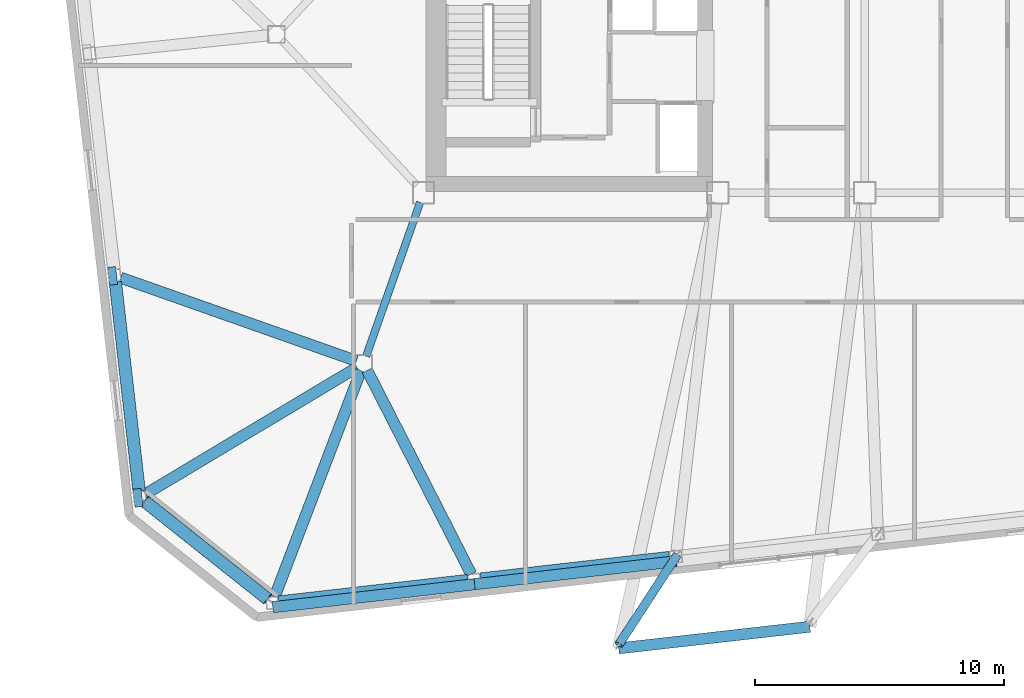
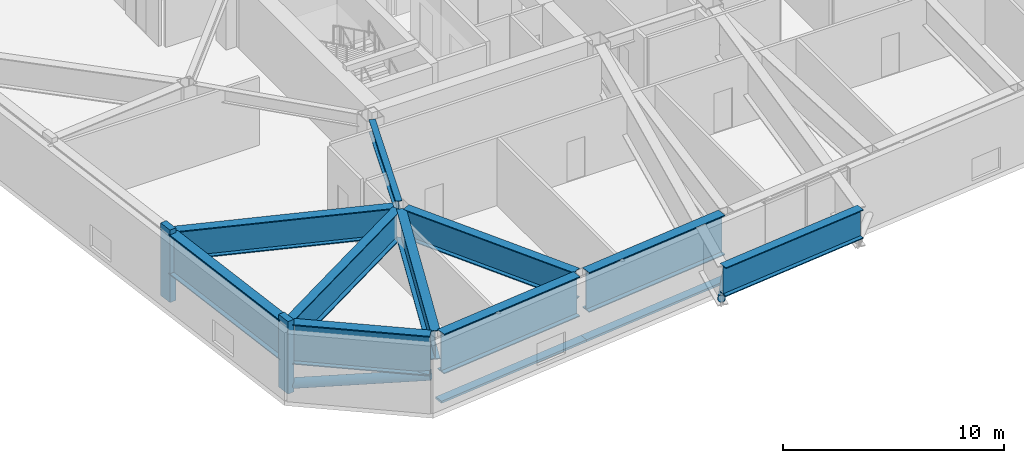
# One storey, part 3 of 20: 10 beams, 6 members.
"""IFC4 building model written with IfcOpenShell, lengths in metres."""

from ifc_helpers import new_model, si_unit, direction, frame, origin, origin_2d, place, context, subcontext, project, spatial, rectangle, hollow_circle, i_section, extrude, material, material_profile, profile_set, type_object, element, save


model = new_model("IFC4")

# Units and contexts
model_context = context("Model", 3, precision=1e-05, world=origin(), true_north=direction((0.0, 1.0)))
body_context = subcontext(model_context, "Body", "Model", "MODEL_VIEW")
ifc_project = project(units=[si_unit("LENGTHUNIT", "METRE"), si_unit("AREAUNIT", "SQUARE_METRE"), si_unit("VOLUMEUNIT", "CUBIC_METRE"), si_unit("PLANEANGLEUNIT", "RADIAN"), si_unit("MASSUNIT", "GRAM", prefix="KILO")], contexts=[model_context])

# Site, building, storey
site_placement = place(None, origin())
site = spatial("IfcSite", under=ifc_project, at=site_placement, CompositionType="ELEMENT")
building_placement = place(site_placement, origin())
building = spatial("IfcBuilding", under=site, at=building_placement, Name="Tavrogorsk Clinical Tower", CompositionType="ELEMENT")
storey_placement = place(building_placement, frame((0.0, 0.0, 214.199951171875)))
storey = spatial("IfcBuildingStorey", under=building, at=storey_placement, Name="L49", CompositionType="ELEMENT", Elevation=214.199951171875)

# Members
ifc_material_1 = material(Name="Anodised aluminium alloy AW-6063", Category="aluminium")
ifc_material_profile_1 = material_profile(ifc_material_1, rectangle(XDim=0.449951171875, YDim=0.1201171875, at=origin_2d()), Name="ALU-SUNSHADE-450x120")
ifc_profile_set_1 = profile_set([ifc_material_profile_1], Name="Anodised aluminium alloy AW-6063")
member_type_1 = type_object("IfcMemberType", Name="ChicagoSunshade_450x120", PredefinedType="USERDEFINED", material=ifc_profile_set_1)
for number, where, z_axis, x_axis, name in (
    (1, (-28.144287109375, -22.981201171875, 0.179931640625), (0.9935729766, 0.113193375116, 0.0), (-0.113193375116, 0.9935729766, 0.0), "L49 South Aluminium Sunshade S1"),
    (2, (-20.048095703125, -22.058837890625, 0.179931640625), (0.9935729766, 0.113193375116, 0.0), (-0.113193375116, 0.9935729766, 0.0), "L49 South Aluminium Sunshade S2"),
):
    element("IfcMember", number, at=place(storey_placement, frame(where, z_axis=z_axis, x_axis=x_axis)), inside=storey, type_object=member_type_1, Name=name, ObjectType="SUNSHADE", PredefinedType="USERDEFINED", context=body_context, shape_type="SweptSolid", body=[
        extrude(rectangle(XDim=0.449951171875, YDim=0.1201171875, at=origin_2d()), origin(), (0.0, 0.0, 1.0), 8.148681640625),
    ])
ifc_material_2 = material(Name="Structural steel S390", Category="steel")
ifc_material_profile_2 = material_profile(ifc_material_2, hollow_circle(Radius=0.177734375, WallThickness=0.01416015625, at=origin_2d()), Name="CHS-355.6x14.2")
ifc_profile_set_2 = profile_set([ifc_material_profile_2], Name="Structural steel S390")
member_type_2 = type_object("IfcMemberType", Name="DayroomStrut_CHS355", PredefinedType="STRUT", material=ifc_profile_set_2)
member_1_placement = place(storey_placement, frame((-11.930908203125, -20.893798828125, 0.42529296875), z_axis=(-0.518847047388, -0.797081966073, 0.308962911655), x_axis=(0.838086093243, -0.545537991631, 0.0)))
element("IfcMember", 3, at=member_1_placement, inside=storey, type_object=member_type_2, Name="L50 Day-Room Raking Strut DRB-07-L", PredefinedType="STRUT", context=body_context, shape_type="SweptSolid", body=[
    extrude(hollow_circle(Radius=0.177734375, WallThickness=0.01416015625, at=origin_2d()), origin(), (0.0, 0.0, 1.0), 4.4970703125),
])
ifc_material_3 = material(Name="Structural steel S440", Category="steel")
ifc_material_profile_3 = material_profile(ifc_material_3, hollow_circle(Radius=0.25390625, WallThickness=0.02001953125, at=origin_2d()), Name="CHS-508x20")
ifc_profile_set_3 = profile_set([ifc_material_profile_3], Name="Structural steel S440")
member_type_3 = type_object("IfcMemberType", Name="ExoBrace_CHS508", PredefinedType="BRACE", material=ifc_profile_set_3)
member_2_placement = place(storey_placement, frame((-33.2783203125, -18.73486328125, 0.344482421875), z_axis=(0.770848240557, -0.613163423379, 0.172695125176), x_axis=(0.622516531029, 0.782606649981, 0.0)))
element("IfcMember", 4, at=member_2_placement, inside=storey, type_object=member_type_3, Name="L49 Corner Exoskeleton Brace W5-S1", PredefinedType="BRACE", context=body_context, shape_type="SweptSolid", body=[
    extrude(hollow_circle(Radius=0.25390625, WallThickness=0.02001953125, at=origin_2d()), origin(), (0.0, 0.0, 1.0), 6.375732421875),
])
ifc_material_4 = material(Name="Precast concrete B45 with limestone cladding", Category="masonry")
ifc_material_profile_4 = material_profile(ifc_material_4, rectangle(XDim=0.320068359375, YDim=0.719970703125, at=origin_2d()), Name="LIMESTONE-FIN-320x720")
ifc_profile_set_4 = profile_set([ifc_material_profile_4], Name="Precast concrete B45 with limestone cladding")
member_type_4 = type_object("IfcMemberType", Name="LimestonePleatFin_320x720", PredefinedType="USERDEFINED", material=ifc_profile_set_4)
for number, where, z_axis, x_axis, name in (
    (5, (-34.571044921875, -9.683349609375, 0.0), (0.0, 0.0, 1.0), (0.993571855677, 0.113203213768, 0.0), "L49 W Pleated Stone Fin 3"),
    (6, (-33.556640625, -18.585693359375, 0.0), (0.0, 0.0, 1.0), (0.993571855677, 0.113203213768, 0.0), "L49 W Pleated Stone Fin 4"),
):
    element("IfcMember", number, at=place(storey_placement, frame(where, z_axis=z_axis, x_axis=x_axis)), inside=storey, type_object=member_type_4, Name=name, ObjectType="FIN", PredefinedType="USERDEFINED", context=body_context, shape_type="SweptSolid", body=[
        extrude(rectangle(XDim=0.320068359375, YDim=0.719970703125, at=origin_2d()), origin(), (0.0, 0.0, 1.0), 4.0),
    ])

# Beams
ifc_material_5 = material(Name="Structural steel S390", Category="steel")
ifc_material_profile_5 = material_profile(ifc_material_5, i_section(OverallWidth=0.300048828125, OverallDepth=0.699951171875, WebThickness=0.01708984375, FlangeThickness=0.028076171875, at=origin_2d()), Name="B-700x300x17x28")
ifc_profile_set_5 = profile_set([ifc_material_profile_5], Name="Structural steel S390")
beam_type_1 = type_object("IfcBeamType", Name="PrimaryGirder_B700", PredefinedType="USERDEFINED", material=ifc_profile_set_5)
beam_1_placement = place(storey_placement, frame((-24.3974609375, -12.907470703125, 3.39013671875), z_axis=(0.33065312634, 0.94375235631, 0.0), x_axis=(-0.94375235631, 0.33065312634, 0.0)))
element("IfcBeam", 7, at=beam_1_placement, inside=storey, type_object=beam_type_1, Name="L49 Spine Link Girder OPG-1", ObjectType="GIRDER", PredefinedType="USERDEFINED", context=body_context, shape_type="SweptSolid", body=[
    extrude(i_section(OverallWidth=0.300048828125, OverallDepth=0.699951171875, WebThickness=0.01708984375, FlangeThickness=0.028076171875, at=origin_2d()), origin(), (0.0, 0.0, 1.0), 6.5380859375),
])
ifc_material_6 = material(Name="Structural steel S440", Category="steel")
ifc_material_profile_6 = material_profile(ifc_material_6, i_section(OverallWidth=0.449951171875, OverallDepth=1.60009765625, WebThickness=0.031982421875, FlangeThickness=0.050048828125, at=origin_2d()), Name="DK-1600x450x32x50")
ifc_profile_set_6 = profile_set([ifc_material_profile_6], Name="Structural steel S440")
beam_type_2 = type_object("IfcBeamType", Name="TransferGirder_DK1600", PredefinedType="USERDEFINED", material=ifc_profile_set_6)
beam_2_placement = place(storey_placement, frame((-24.610595703125, -13.489501953125, 2.93994140625), z_axis=(-0.356548354426, -0.93427687061, 0.0), x_axis=(0.93427687061, -0.356548354426, 0.0)))
element("IfcBeam", 8, at=beam_2_placement, inside=storey, type_object=beam_type_2, Name="L49 Radial Floor Beam S1", ObjectType="GIRDER", PredefinedType="USERDEFINED", context=body_context, shape_type="SweptSolid", body=[
    extrude(i_section(OverallWidth=0.449951171875, OverallDepth=1.60009765625, WebThickness=0.031982421875, FlangeThickness=0.050048828125, at=origin_2d()), origin(), (0.0, 0.0, 1.0), 9.710205078125),
])
beam_3_placement = place(storey_placement, frame((-24.359130859375, -13.47607421875, 2.93994140625), z_axis=(0.454709818127, -0.890639647275, 0.0), x_axis=(0.890639647275, 0.454709818127, 0.0)))
element("IfcBeam", 9, at=beam_3_placement, inside=storey, type_object=beam_type_2, Name="L49 Radial Floor Beam S2", ObjectType="GIRDER", PredefinedType="USERDEFINED", context=body_context, shape_type="SweptSolid", body=[
    extrude(i_section(OverallWidth=0.449951171875, OverallDepth=1.60009765625, WebThickness=0.031982421875, FlangeThickness=0.050048828125, at=origin_2d()), origin(), (0.0, 0.0, 1.0), 9.177978515625),
])
beam_4_placement = place(storey_placement, frame((-24.792236328125, -13.096923828125, 2.93994140625), z_axis=(-0.943014153926, 0.332752619067, 0.0), x_axis=(-0.332752619067, -0.943014153926, 0.0)))
element("IfcBeam", 10, at=beam_4_placement, inside=storey, type_object=beam_type_2, Name="L49 Radial Floor Beam W4", ObjectType="GIRDER", PredefinedType="USERDEFINED", context=body_context, shape_type="SweptSolid", body=[
    extrude(i_section(OverallWidth=0.449951171875, OverallDepth=1.60009765625, WebThickness=0.031982421875, FlangeThickness=0.050048828125, at=origin_2d()), origin(), (0.0, 0.0, 1.0), 10.027587890625),
])
beam_5_placement = place(storey_placement, frame((-24.765869140625, -13.359375, 2.93994140625), z_axis=(-0.857906237315, -0.513806274754, 0.0), x_axis=(0.513806274754, -0.857906237315, 0.0)))
element("IfcBeam", 11, at=beam_5_placement, inside=storey, type_object=beam_type_2, Name="L49 Radial Floor Beam W5", ObjectType="GIRDER", PredefinedType="USERDEFINED", context=body_context, shape_type="SweptSolid", body=[
    extrude(i_section(OverallWidth=0.449951171875, OverallDepth=1.60009765625, WebThickness=0.031982421875, FlangeThickness=0.050048828125, at=origin_2d()), origin(), (0.0, 0.0, 1.0), 9.896240234375),
])
beam_6_placement = place(storey_placement, frame((-14.269287109375, -24.629638671875, 2.93994140625), z_axis=(0.993650900257, 0.112507281624, 0.0), x_axis=(-0.112507281624, 0.993650900257, 0.0)))
element("IfcBeam", 12, at=beam_6_placement, inside=storey, type_object=beam_type_2, Name="L50 Day-Room Base Edge Girder DRB-07", ObjectType="GIRDER", PredefinedType="USERDEFINED", context=body_context, shape_type="SweptSolid", body=[
    extrude(i_section(OverallWidth=0.449951171875, OverallDepth=1.60009765625, WebThickness=0.031982421875, FlangeThickness=0.050048828125, at=origin_2d()), origin(), (0.0, 0.0, 1.0), 7.71875),
])
ifc_material_7 = material(Name="Structural steel S440", Category="steel")
ifc_material_profile_7 = material_profile(ifc_material_7, i_section(OverallWidth=0.5, OverallDepth=2.199951171875, WebThickness=0.035888671875, FlangeThickness=0.054931640625, at=origin_2d()), Name="DK-2200x500x36x55")
ifc_profile_set_7 = profile_set([ifc_material_profile_7], Name="Structural steel S440")
beam_type_3 = type_object("IfcBeamType", Name="TransferGirder_DK2200", PredefinedType="USERDEFINED", material=ifc_profile_set_7)
for number, where, z_axis, x_axis, name in (
    (13, (-27.908447265625, -22.773193359375, 2.64013671875), (0.993575697004, 0.113169493787, 0.0), (-0.113169493787, 0.993575697004, 0.0), "L49 Perimeter Spandrel S1-S2"),
    (14, (-19.812255859375, -21.850830078125, 2.64013671875), (0.993572099834, 0.113201070804, 0.0), (-0.113201070804, 0.993572099834, 0.0), "L49 Perimeter Spandrel S2-S3"),
):
    element("IfcBeam", number, at=place(storey_placement, frame(where, z_axis=z_axis, x_axis=x_axis)), inside=storey, type_object=beam_type_3, Name=name, ObjectType="GIRDER", PredefinedType="USERDEFINED", context=body_context, shape_type="SweptSolid", body=[
        extrude(i_section(OverallWidth=0.5, OverallDepth=2.199951171875, WebThickness=0.035888671875, FlangeThickness=0.054931640625, at=origin_2d()), origin(), (0.0, 0.0, 1.0), 7.632568359375),
    ])
beam_7_placement = place(storey_placement, frame((-34.46240234375, -9.9306640625, 2.64013671875), z_axis=(0.113223671813, -0.993569524563, 0.0), x_axis=(0.993569524563, 0.113223671813, 0.0)))
element("IfcBeam", 15, at=beam_7_placement, inside=storey, type_object=beam_type_3, Name="L49 Perimeter Spandrel W4-W5", ObjectType="GIRDER", PredefinedType="USERDEFINED", context=body_context, shape_type="SweptSolid", body=[
    extrude(i_section(OverallWidth=0.5, OverallDepth=2.199951171875, WebThickness=0.035888671875, FlangeThickness=0.054931640625, at=origin_2d()), origin(), (0.0, 0.0, 1.0), 8.44384765625),
])
beam_8_placement = place(storey_placement, frame((-33.275390625, -18.7373046875, 2.64013671875), z_axis=(0.782608811853, -0.622513813188, 0.0), x_axis=(0.622513813188, 0.782608811853, 0.0)))
element("IfcBeam", 16, at=beam_8_placement, inside=storey, type_object=beam_type_3, Name="L49 Perimeter Spandrel W5-S1", ObjectType="GIRDER", PredefinedType="USERDEFINED", context=body_context, shape_type="SweptSolid", body=[
    extrude(i_section(OverallWidth=0.5, OverallDepth=2.199951171875, WebThickness=0.035888671875, FlangeThickness=0.054931640625, at=origin_2d()), origin(), (0.0, 0.0, 1.0), 6.272216796875),
])

save(model, "model.ifc")
